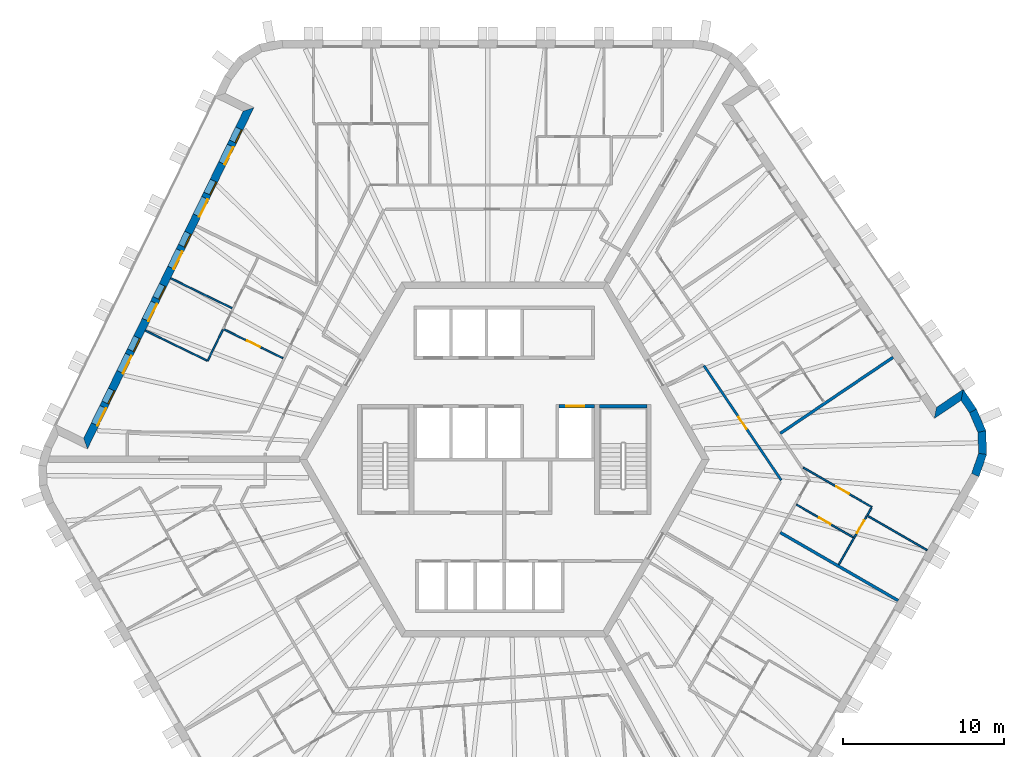
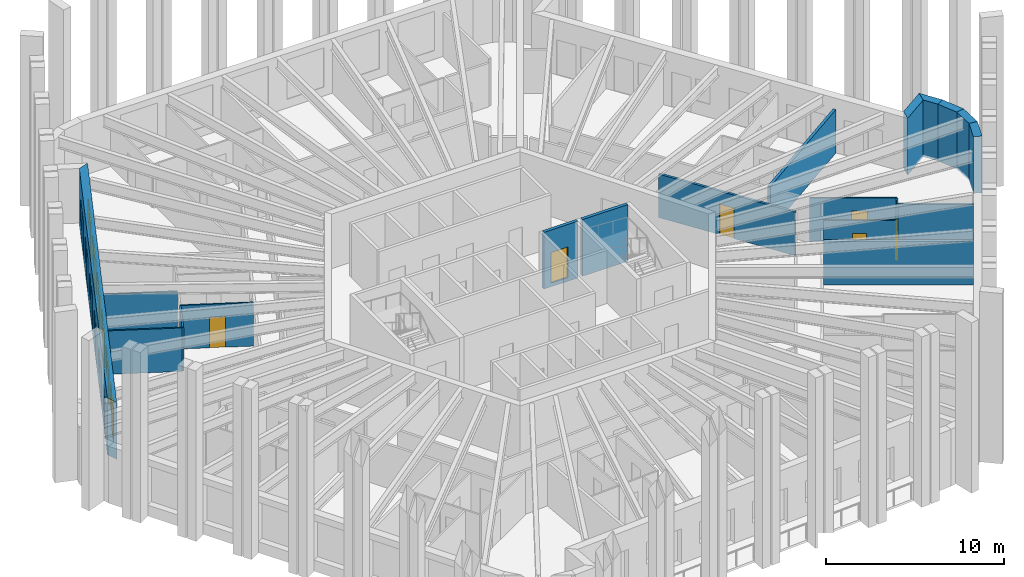
# One storey, part 7 of 13: 21 walls, 12 doors, 6 windows, 18 openings.
"""IFC4 building model written with IfcOpenShell, lengths in metres."""

import ifcopenshell
import ifcopenshell.guid

model = None  # the IFC model being written
_history = None  # IfcOwnerHistory: only IFC2X3 demands one
_inside = {}  # id of a spatial element -> (the spatial element, [elements in it])
_under = {}  # id of a project, library or spatial element -> (it, [spatial elements below it])
_declared = {}  # id of a project -> (the project, [libraries it declares])
_typed = {}  # id of a type object -> (the type object, [elements of that type])
_made_of = {}  # id of a material, layer set ... -> (it, [elements and type objects made of it])


def new_model(schema):
    """Start an empty IFC model of exactly this schema.

    Asked for "IFC4X3", IfcOpenShell would pick the latest addendum, in which some entities
    have other attributes; the version numbers below select the first issue.
    IFC2X3 requires an IfcOwnerHistory on every rooted entity: one is made here for all.
    """
    global model, _history
    if schema == "IFC4X3":
        model = ifcopenshell.file(schema_version=(4, 3, 0, 0))
    else:
        model = ifcopenshell.file(schema=schema)
    _inside.clear()
    _under.clear()
    _declared.clear()
    _typed.clear()
    _made_of.clear()
    _history = None
    if model.schema == "IFC2X3":
        org = make("IfcOrganization", Name="unknown")
        user = make(
            "IfcPersonAndOrganization",
            ThePerson=make("IfcPerson", FamilyName="unknown"),
            TheOrganization=org,
        )
        app = make(
            "IfcApplication",
            ApplicationDeveloper=org,
            Version="unknown",
            ApplicationFullName="unknown",
            ApplicationIdentifier="unknown",
        )
        _history = make(
            "IfcOwnerHistory",
            OwningUser=user,
            OwningApplication=app,
            ChangeAction="ADDED",
            CreationDate=0,
        )
    return model


def make(cls, **values):
    """One entity of the class cls with the attributes given. An attribute that is None is left unset."""
    return model.create_entity(
        cls, **{name: value for name, value in values.items() if value is not None}
    )


def rooted(cls, **values):
    """An entity with a GlobalId (a new one), such as an element, a storey or a relation."""
    return make(cls, GlobalId=ifcopenshell.guid.new(), OwnerHistory=_history, **values)


def si_unit(unit_type, name, prefix=None):
    """IfcSIUnit, for example si_unit("LENGTHUNIT", "METRE", prefix="MILLI")."""
    return make("IfcSIUnit", UnitType=unit_type, Prefix=prefix, Name=name)


def assignment(units):
    """IfcUnitAssignment: the units of a project."""
    return None if units is None else make("IfcUnitAssignment", Units=units)


def point(xyz):
    """IfcCartesianPoint."""
    return None if xyz is None else make("IfcCartesianPoint", Coordinates=xyz)


def direction(xyz):
    """IfcDirection."""
    return None if xyz is None else make("IfcDirection", DirectionRatios=xyz)


def frame(location, z_axis=None, x_axis=None):
    """IfcAxis2Placement3D, a coordinate frame: its origin and axes. An axis left out is left unset."""
    return make(
        "IfcAxis2Placement3D",
        Location=point(location),
        Axis=direction(z_axis),
        RefDirection=direction(x_axis),
    )


def frame_2d(location, x_axis=None):
    """IfcAxis2Placement2D, a coordinate frame in the plane: its origin and x axis."""
    return make(
        "IfcAxis2Placement2D", Location=point(location), RefDirection=direction(x_axis)
    )


def origin():
    """The frame at (0, 0, 0) with its axes left unset."""
    return frame((0.0, 0.0, 0.0))


def place(relative_to, where):
    """IfcLocalPlacement: puts the frame where relative to a parent placement (None: the world)."""
    return make(
        "IfcLocalPlacement", PlacementRelTo=relative_to, RelativePlacement=where
    )


def context(
    kind, dimensions, precision=None, world=None, true_north=None, identifier=None
):
    """IfcGeometricRepresentationContext, for example the 3D "Model" context."""
    return make(
        "IfcGeometricRepresentationContext",
        ContextIdentifier=identifier,
        ContextType=kind,
        CoordinateSpaceDimension=dimensions,
        Precision=precision,
        WorldCoordinateSystem=world,
        TrueNorth=true_north,
    )


def subcontext(parent, identifier, kind, view, scale=None):
    """IfcGeometricRepresentationSubContext, for example "Body" below "Model"."""
    return make(
        "IfcGeometricRepresentationSubContext",
        ContextIdentifier=identifier,
        ContextType=kind,
        ParentContext=parent,
        TargetScale=scale,
        TargetView=view,
    )


def project(units=None, contexts=None):
    """IfcProject with its units and contexts."""
    return rooted(
        "IfcProject",
        Name="project",
        RepresentationContexts=contexts,
        UnitsInContext=assignment(units),
    )


def spatial(cls, under=None, at=None, **own):
    """A site, building, storey or space (cls), placed at a placement, below another one or the project."""
    s = rooted(cls, ObjectPlacement=at, **own)
    if under is not None:
        _under.setdefault(under.id(), (under, []))[1].append(s)
    return s


def polyline(points):
    """IfcPolyline through the points."""
    return make("IfcPolyline", Points=[point(p) for p in points])


def profile(cls, at=None, kind="AREA", **sizes):
    """A parametric profile (cls). Its sizes go by their IFC names, for example OverallWidth=200.0."""
    return make(cls, ProfileType=kind, Position=at, **sizes)


def rectangle(**sizes):
    """IfcRectangleProfileDef."""
    return profile("IfcRectangleProfileDef", **sizes)


def outline(outer, holes=None, kind="AREA"):
    """IfcArbitraryClosedProfileDef: a profile drawn as a closed curve; with holes, ...WithVoids."""
    if holes is None:
        return make("IfcArbitraryClosedProfileDef", ProfileType=kind, OuterCurve=outer)
    return make(
        "IfcArbitraryProfileDefWithVoids",
        ProfileType=kind,
        OuterCurve=outer,
        InnerCurves=holes,
    )


def extrude(swept, where, along, depth):
    """IfcExtrudedAreaSolid: the profile swept, set in the frame where, extruded along a direction by depth."""
    return make(
        "IfcExtrudedAreaSolid",
        SweptArea=swept,
        Position=where,
        ExtrudedDirection=direction(along),
        Depth=depth,
    )


def shape(context_of_items, identifier, shape_type, items):
    """IfcShapeRepresentation: the items that make up one representation, for example the "Body"."""
    return make(
        "IfcShapeRepresentation",
        ContextOfItems=context_of_items,
        RepresentationIdentifier=identifier,
        RepresentationType=shape_type,
        Items=items,
    )


def material(Name=None, Category=None):
    """IfcMaterial."""
    return make("IfcMaterial", Name=Name, Category=Category)


def layer(
    of_material, thickness, ventilated=None, Name=None, Category=None, Priority=None
):
    """IfcMaterialLayer: one layer of a wall or slab, of a material (None: an air gap)."""
    return make(
        "IfcMaterialLayer",
        Material=of_material,
        LayerThickness=thickness,
        IsVentilated=ventilated,
        Name=Name,
        Category=Category,
        Priority=Priority,
    )


def layer_set(layers, Name=None):
    """IfcMaterialLayerSet."""
    return make("IfcMaterialLayerSet", MaterialLayers=layers, LayerSetName=Name)


def made_of(thing, what):
    """Note that an element or type object is made of a material, layer set ...; save() writes the relation."""
    if what is not None:
        _made_of.setdefault(what.id(), (what, []))[1].append(thing)
    return thing


def type_object(cls, material=None, **own):
    """A type object (cls), such as IfcWallType, which elements share."""
    return made_of(rooted(cls, **own), material)


def element(
    cls,
    number,
    at=None,
    inside=None,
    cuts=None,
    type_object=None,
    material=None,
    context=None,
    identifier="Body",
    shape_type=None,
    held_by="IfcProductDefinitionShape",
    body=None,
    shapes=None,
    **own,
):
    """One element of the class cls, such as IfcWall. Its Tag is "e" and its number.

    at: its placement. inside: the storey or other place that contains it. cuts: it is an
    opening in that element (IfcRelVoidsElement). A single representation is given by context,
    identifier, shape_type and body (its items); several are given by shapes. held_by: the class
    of the entity that holds the representations. save() writes the other relations.
    """
    e = rooted(cls, Tag="e%d" % number, ObjectPlacement=at, **own)
    if body is not None:
        shapes = [shape(context, identifier, shape_type, body)]
    if shapes is not None:
        e.Representation = make(held_by, Representations=shapes)
    if inside is not None:
        _inside.setdefault(inside.id(), (inside, []))[1].append(e)
    if cuts is not None:
        rooted(
            "IfcRelVoidsElement", RelatingBuildingElement=cuts, RelatedOpeningElement=e
        )
    if type_object is not None:
        _typed.setdefault(type_object.id(), (type_object, []))[1].append(e)
    return made_of(e, material)


def fill(opening, filler):
    """IfcRelFillsElement: the door or window that sits in an opening."""
    return rooted(
        "IfcRelFillsElement",
        RelatingOpeningElement=opening,
        RelatedBuildingElement=filler,
    )


def aggregate(whole, parts):
    """IfcRelAggregates: a whole, such as a stair, and the parts it consists of."""
    return rooted("IfcRelAggregates", RelatingObject=whole, RelatedObjects=parts)


def save(model, path):
    """Write the relations noted so far, then the file.

    IfcRelAggregates (storeys below a building ...), IfcRelContainedInSpatialStructure (elements
    in a storey), IfcRelDefinesByType, IfcRelAssociatesMaterial and IfcRelDeclares: one each for
    every whole, place, type object, material and project.
    """
    for whole, parts in _under.values():
        aggregate(whole, parts)
    for where, things in _inside.values():
        rooted(
            "IfcRelContainedInSpatialStructure",
            RelatedElements=things,
            RelatingStructure=where,
        )
    for kind, things in _typed.values():
        rooted("IfcRelDefinesByType", RelatedObjects=things, RelatingType=kind)
    for what, things in _made_of.values():
        rooted("IfcRelAssociatesMaterial", RelatedObjects=things, RelatingMaterial=what)
    for by, libraries in _declared.values():
        rooted("IfcRelDeclares", RelatingContext=by, RelatedDefinitions=libraries)
    model.write(path)


model = new_model("IFC4")

# Units and contexts
model_context = context("Model", 3, precision=1e-05, world=origin(), true_north=direction((0.0, 1.0)))
body_context = subcontext(model_context, "Body", "Model", "MODEL_VIEW")
ifc_project = project(units=[si_unit("LENGTHUNIT", "METRE"), si_unit("AREAUNIT", "SQUARE_METRE"), si_unit("VOLUMEUNIT", "CUBIC_METRE"), si_unit("PLANEANGLEUNIT", "RADIAN"), si_unit("MASSUNIT", "GRAM", prefix="KILO")], contexts=[model_context])

# Site, building, storey
site_placement = place(None, origin())
site = spatial("IfcSite", under=ifc_project, at=site_placement, CompositionType="ELEMENT")
building_placement = place(site_placement, origin())
building = spatial("IfcBuilding", under=site, at=building_placement, Name="Tarnside Tower", CompositionType="ELEMENT")
storey_placement = place(building_placement, frame((0.0, 0.0, 303.0)))
storey = spatial("IfcBuildingStorey", under=building, at=storey_placement, Name="L73", CompositionType="ELEMENT", Elevation=303.0)

# Wall, opening, door
ifc_material_1 = material(Name="Gypsum board partition on steel studs", Category="steel")
ifc_layer_1 = layer(ifc_material_1, 0.10009765625)
ifc_layer_set_1 = layer_set([ifc_layer_1], Name="Bathroom wall 100")
wall_type_1 = type_object("IfcWallType", Name="Bathroom wall 100", PredefinedType="PARTITIONING", material=ifc_layer_set_1)
wall_1_placement = place(storey_placement, frame((18.099853515625, -2.80029296875, 0.0), z_axis=(0.0, 0.0, 1.0), x_axis=(0.866019999656, -0.500009360108, 0.0)))
wall_1 = element("IfcWall", 1, at=wall_1_placement, inside=storey, type_object=wall_type_1, Name="Bathroom wall 24156", PredefinedType="PARTITIONING", context=body_context, shape_type="SweptSolid", body=[
    extrude(rectangle(XDim=4.125, YDim=0.10009765625, at=frame_2d((2.0625, 0.0))), origin(), (0.0, 0.0, 1.0), 2.98779296875),
])
opening_1_placement = place(wall_1_placement, frame((1.625, 0.0, 0.0)))
opening_1 = element("IfcOpeningElement", 2, at=opening_1_placement, cuts=wall_1, Name="Opening D-B1", PredefinedType="OPENING", context=body_context, shape_type="SweptSolid", body=[
    extrude(rectangle(XDim=0.800048828125, YDim=2.10009765625, at=frame_2d((0.39990234375, 1.050048828125))), frame((0.0, 0.06005859375, 0.0), z_axis=(0.0, -1.0, 0.0), x_axis=(1.0, 0.0, 0.0)), (0.0, 0.0, 1.0), 0.1201171875),
])
ifc_material_2 = material(Name="Timber door leaf", Category="wood")
door_type_1 = type_object("IfcDoorType", Name="Bathroom door 800", OperationType="NOTDEFINED", PredefinedType="DOOR", material=ifc_material_2)
door_1_placement = place(opening_1_placement, origin())
door_1 = element("IfcDoor", 3, at=door_1_placement, inside=storey, type_object=door_type_1, Name="Bathroom door 24051", OperationType="SINGLE_SWING_RIGHT", OverallHeight=2.10009765625, OverallWidth=0.800048828125, PredefinedType="DOOR", context=body_context, shape_type="SweptSolid", body=[
    extrude(rectangle(XDim=0.800048828125, YDim=2.10009765625, at=frame_2d((0.39990234375, 1.050048828125))), frame((0.0, 0.02490234375, 0.0), z_axis=(0.0, -1.0, 0.0), x_axis=(1.0, 0.0, 0.0)), (0.0, 0.0, 1.0), 0.050048828125),
])
fill(opening_1, door_1)

# Wall
wall_2_placement = place(storey_placement, frame((20.717041015625, -6.516845703125, 0.0), z_axis=(0.0, 0.0, 1.0), x_axis=(0.500039310002, 0.866002706955, 0.0)))
element("IfcWall", 4, at=wall_2_placement, inside=storey, type_object=wall_type_1, Name="Bathroom wall 24158", PredefinedType="PARTITIONING", context=body_context, shape_type="SweptSolid", body=[
    extrude(rectangle(XDim=1.911865234375, YDim=0.10009765625, at=frame_2d((0.9560546875, 0.0))), origin(), (0.0, 0.0, 1.0), 2.98779296875),
])

# Wall, opening, door
ifc_layer_2 = layer(ifc_material_1, 0.14990234375)
ifc_layer_set_2 = layer_set([ifc_layer_2], Name="Corridor wall 150 EI 60")
wall_type_2 = type_object("IfcWallType", Name="Corridor wall 150 EI 60", PredefinedType="PARTITIONING", material=ifc_layer_set_2)
wall_3_placement = place(storey_placement, frame((12.36669921875, 5.8076171875, 0.0), z_axis=(0.0, 0.0, 1.0), x_axis=(0.559187256666, -0.829041381345, 0.0)))
wall_3 = element("IfcWall", 5, at=wall_3_placement, inside=storey, type_object=wall_type_2, Name="Corridor wall 24072", PredefinedType="PARTITIONING", context=body_context, shape_type="SweptSolid", body=[
    extrude(rectangle(XDim=8.560302734375, YDim=0.14990234375, at=frame_2d((4.2802734375, 0.0))), origin(), (0.0, 0.0, 1.0), 2.98779296875),
])
opening_2_placement = place(wall_3_placement, frame((3.830078125, 0.0, 0.0)))
opening_2 = element("IfcOpeningElement", 6, at=opening_2_placement, cuts=wall_3, Name="Opening D-S1", PredefinedType="OPENING", context=body_context, shape_type="SweptSolid", body=[
    extrude(rectangle(XDim=0.89990234375, YDim=2.10009765625, at=frame_2d((0.449951171875, 1.050048828125))), frame((0.0, 0.0849609375, 0.0), z_axis=(0.0, -1.0, 0.0), x_axis=(1.0, 0.0, 0.0)), (0.0, 0.0, 1.0), 0.169921875),
])
door_type_2 = type_object("IfcDoorType", Name="Service room door 900 FD30S", OperationType="NOTDEFINED", PredefinedType="DOOR", material=ifc_material_2)
door_2_placement = place(opening_2_placement, origin())
door_2 = element("IfcDoor", 7, at=door_2_placement, inside=storey, type_object=door_type_2, Name="Service door 24067", OperationType="SINGLE_SWING_RIGHT", OverallHeight=2.10009765625, OverallWidth=0.89990234375, PredefinedType="DOOR", context=body_context, shape_type="SweptSolid", body=[
    extrude(rectangle(XDim=0.89990234375, YDim=2.10009765625, at=frame_2d((0.449951171875, 1.050048828125))), frame((0.0, 0.02490234375, 0.0), z_axis=(0.0, -1.0, 0.0), x_axis=(1.0, 0.0, 0.0)), (0.0, 0.0, 1.0), 0.050048828125),
])
fill(opening_2, door_2)

# Walls
ifc_layer_3 = layer(ifc_material_1, 0.179931640625)
ifc_layer_set_3 = layer_set([ifc_layer_3], Name="Demising wall 180 EI 60")
wall_type_3 = type_object("IfcWallType", Name="Demising wall 180 EI 60", PredefinedType="PARTITIONING", material=ifc_layer_set_3)
for number, where, z_axis, x_axis, name in (
    (8, (24.39599609375, -8.744873046875, 0.0), (0.0, 0.0, 1.0), (-0.866014270972, 0.500019282102, 0.0), "Demising wall 24144"),
    (9, (24.08154296875, 6.322509765625, 0.0), (0.0, 0.0, 1.0), (-0.829037762759, -0.559192621481, 0.0), "Demising wall 24154"),
):
    element("IfcWall", number, at=place(storey_placement, frame(where, z_axis=z_axis, x_axis=x_axis)), inside=storey, type_object=wall_type_3, Name=name, PredefinedType="PARTITIONING", context=body_context, shape_type="SweptSolid", body=[
        extrude(rectangle(XDim=8.425048828125, YDim=0.179931640625, at=frame_2d((4.21240234375, 0.0))), origin(), (0.0, 0.0, 1.0), 2.98779296875),
    ])

# Wall, opening, door
ifc_material_3 = material(Name="Concrete C40/50", Category="concrete")
ifc_layer_4 = layer(ifc_material_3, 0.199951171875)
ifc_layer_set_4 = layer_set([ifc_layer_4], Name="Lift shaft wall 200 C40/50")
wall_type_4 = type_object("IfcWallType", Name="Lift shaft wall 200 C40/50", PredefinedType="SHEAR", material=ifc_layer_set_4)
wall_4_placement = place(storey_placement, frame((3.39990234375, 3.300048828125, -0.25), z_axis=(0.0, 0.0, 1.0), x_axis=(1.0, 0.0, 0.0)))
wall_4 = element("IfcWall", 10, at=wall_4_placement, inside=storey, type_object=wall_type_4, Name="L73 lift shaft front wall R2 2", PredefinedType="SHEAR", context=body_context, shape_type="SweptSolid", body=[
    extrude(rectangle(XDim=2.2001953125, YDim=0.199951171875, at=frame_2d((1.10009765625, 0.0))), origin(), (0.0, 0.0, 1.0), 3.89990234375),
])
opening_3_placement = place(wall_4_placement, frame((0.449951171875, 0.0, 0.25)))
opening_3 = element("IfcOpeningElement", 11, at=opening_3_placement, cuts=wall_4, Name="Opening LD", PredefinedType="OPENING", context=body_context, shape_type="SweptSolid", body=[
    extrude(rectangle(XDim=1.10009765625, YDim=2.10009765625, at=frame_2d((0.550048828125, 1.050048828125))), frame((0.0, 0.10986328125, 0.0), z_axis=(0.0, -1.0, 0.0), x_axis=(1.0, 0.0, 0.0)), (0.0, 0.0, 1.0), 0.219970703125),
])
ifc_material_4 = material(Name="Stainless steel", Category="steel")
door_type_3 = type_object("IfcDoorType", Name="Lift landing door 1100x2100", OperationType="NOTDEFINED", PredefinedType="DOOR", material=ifc_material_4)
door_3_placement = place(opening_3_placement, origin())
door_3 = element("IfcDoor", 12, at=door_3_placement, inside=storey, type_object=door_type_3, Name="Express sky-lobby shuttle 2 landing door L73", OperationType="SLIDING_TO_LEFT", OverallHeight=2.10009765625, OverallWidth=1.10009765625, PredefinedType="DOOR", context=body_context, shape_type="SweptSolid", body=[
    extrude(rectangle(XDim=1.10009765625, YDim=2.10009765625, at=frame_2d((0.550048828125, 1.050048828125))), frame((0.0, 0.02490234375, 0.0), z_axis=(0.0, -1.0, 0.0), x_axis=(1.0, 0.0, 0.0)), (0.0, 0.0, 1.0), 0.050048828125),
])
fill(opening_3, door_3)

# Wall
wall_5_placement = place(storey_placement, frame((5.89990234375, 3.300048828125, -0.25), z_axis=(0.0, 0.0, 1.0), x_axis=(1.0, 0.0, 0.0)))
element("IfcWall", 13, at=wall_5_placement, inside=storey, type_object=wall_type_4, Name="L73 stair 1 enclosure cap wall n", PredefinedType="SHEAR", context=body_context, shape_type="SweptSolid", body=[
    extrude(rectangle(XDim=2.9501953125, YDim=0.199951171875, at=frame_2d((1.47509765625, 0.0))), origin(), (0.0, 0.0, 1.0), 3.89990234375),
])

# Wall, openings, doors, windows
ifc_material_5 = material(Name="Dark zinc cladding")
ifc_layer_5 = layer(ifc_material_5, 0.10205078125)
ifc_material_6 = material(Name="Concrete C60/75 precast", Category="concrete")
ifc_layer_6 = layer(ifc_material_6, 0.298095703125)
ifc_material_7 = material(Name="Mineral wool insulation")
ifc_layer_7 = layer(ifc_material_7, 0.10009765625)
ifc_layer_set_5 = layer_set([ifc_layer_5, ifc_layer_6, ifc_layer_7], Name="Loggia wall 500 zinc faced")
wall_type_5 = type_object("IfcWallType", Name="Loggia wall 500 zinc faced", PredefinedType="SOLIDWALL", material=ifc_layer_set_5)
wall_6_placement = place(storey_placement, frame((-15.845947265625, 21.6884765625, -0.14990234375), z_axis=(0.0, 0.0, 1.0), x_axis=(-0.438377502627, -0.898790946322, 0.0)))
wall_6 = element("IfcWall", 14, at=wall_6_placement, inside=storey, type_object=wall_type_5, Name="Tube wall L73 F2 back 06", PredefinedType="SOLIDWALL", context=body_context, shape_type="SweptSolid", body=[
    extrude(outline(polyline([(0.25, -0.25), (22.794677734375, -0.25), (23.294677734375, 0.25), (-0.25, 0.25), (0.25, -0.25)])), origin(), (0.0, 0.0, 1.0), 3.89990234375),
])
opening_4_placement = place(wall_6_placement, frame((1.322509765625, 0.0, 1.050048828125)))
opening_4 = element("IfcOpeningElement", 15, at=opening_4_placement, cuts=wall_6, Name="Opening WL500", PredefinedType="OPENING", context=body_context, shape_type="SweptSolid", body=[
    extrude(rectangle(XDim=0.89990234375, YDim=1.5, at=frame_2d((0.449951171875, 0.75))), frame((0.0, 0.260009765625, 0.0), z_axis=(0.0, -1.0, 0.0), x_axis=(1.0, 0.0, 0.0)), (0.0, 0.0, 1.0), 0.52001953125),
])
opening_5_placement = place(wall_6_placement, frame((2.5224609375, 0.0, 0.14990234375)))
opening_5 = element("IfcOpeningElement", 16, at=opening_5_placement, cuts=wall_6, Name="Opening DB500", PredefinedType="OPENING", context=body_context, shape_type="SweptSolid", body=[
    extrude(rectangle(XDim=1.199951171875, YDim=2.39990234375, at=frame_2d((0.60009765625, 1.199951171875))), frame((0.0, 0.260009765625, 0.0), z_axis=(0.0, -1.0, 0.0), x_axis=(1.0, 0.0, 0.0)), (0.0, 0.0, 1.0), 0.52001953125),
])
opening_6_placement = place(wall_6_placement, frame((4.92236328125, 0.0, 1.050048828125)))
opening_6 = element("IfcOpeningElement", 17, at=opening_6_placement, cuts=wall_6, Name="Opening WL500", PredefinedType="OPENING", context=body_context, shape_type="SweptSolid", body=[
    extrude(rectangle(XDim=0.89990234375, YDim=1.5, at=frame_2d((0.449951171875, 0.75))), frame((0.0, 0.260009765625, 0.0), z_axis=(0.0, -1.0, 0.0), x_axis=(1.0, 0.0, 0.0)), (0.0, 0.0, 1.0), 0.52001953125),
])
opening_7_placement = place(wall_6_placement, frame((6.122314453125, 0.0, 0.14990234375)))
opening_7 = element("IfcOpeningElement", 18, at=opening_7_placement, cuts=wall_6, Name="Opening DB500", PredefinedType="OPENING", context=body_context, shape_type="SweptSolid", body=[
    extrude(rectangle(XDim=1.199951171875, YDim=2.39990234375, at=frame_2d((0.60009765625, 1.199951171875))), frame((0.0, 0.260009765625, 0.0), z_axis=(0.0, -1.0, 0.0), x_axis=(1.0, 0.0, 0.0)), (0.0, 0.0, 1.0), 0.52001953125),
])
opening_8_placement = place(wall_6_placement, frame((8.5224609375, 0.0, 1.050048828125)))
opening_8 = element("IfcOpeningElement", 19, at=opening_8_placement, cuts=wall_6, Name="Opening WL500", PredefinedType="OPENING", context=body_context, shape_type="SweptSolid", body=[
    extrude(rectangle(XDim=0.89990234375, YDim=1.5, at=frame_2d((0.449951171875, 0.75))), frame((0.0, 0.260009765625, 0.0), z_axis=(0.0, -1.0, 0.0), x_axis=(1.0, 0.0, 0.0)), (0.0, 0.0, 1.0), 0.52001953125),
])
opening_9_placement = place(wall_6_placement, frame((9.722412109375, 0.0, 0.14990234375)))
opening_9 = element("IfcOpeningElement", 20, at=opening_9_placement, cuts=wall_6, Name="Opening DB500", PredefinedType="OPENING", context=body_context, shape_type="SweptSolid", body=[
    extrude(rectangle(XDim=1.199951171875, YDim=2.39990234375, at=frame_2d((0.60009765625, 1.199951171875))), frame((0.0, 0.260009765625, 0.0), z_axis=(0.0, -1.0, 0.0), x_axis=(1.0, 0.0, 0.0)), (0.0, 0.0, 1.0), 0.52001953125),
])
opening_10_placement = place(wall_6_placement, frame((12.122314453125, 0.0, 1.050048828125)))
opening_10 = element("IfcOpeningElement", 21, at=opening_10_placement, cuts=wall_6, Name="Opening WL500", PredefinedType="OPENING", context=body_context, shape_type="SweptSolid", body=[
    extrude(rectangle(XDim=0.89990234375, YDim=1.5, at=frame_2d((0.449951171875, 0.75))), frame((0.0, 0.260009765625, 0.0), z_axis=(0.0, -1.0, 0.0), x_axis=(1.0, 0.0, 0.0)), (0.0, 0.0, 1.0), 0.52001953125),
])
opening_11_placement = place(wall_6_placement, frame((13.322509765625, 0.0, 0.14990234375)))
opening_11 = element("IfcOpeningElement", 22, at=opening_11_placement, cuts=wall_6, Name="Opening DB500", PredefinedType="OPENING", context=body_context, shape_type="SweptSolid", body=[
    extrude(rectangle(XDim=1.199951171875, YDim=2.39990234375, at=frame_2d((0.60009765625, 1.199951171875))), frame((0.0, 0.260009765625, 0.0), z_axis=(0.0, -1.0, 0.0), x_axis=(1.0, 0.0, 0.0)), (0.0, 0.0, 1.0), 0.52001953125),
])
opening_12_placement = place(wall_6_placement, frame((15.722412109375, 0.0, 1.050048828125)))
opening_12 = element("IfcOpeningElement", 23, at=opening_12_placement, cuts=wall_6, Name="Opening WL500", PredefinedType="OPENING", context=body_context, shape_type="SweptSolid", body=[
    extrude(rectangle(XDim=0.89990234375, YDim=1.5, at=frame_2d((0.449951171875, 0.75))), frame((0.0, 0.260009765625, 0.0), z_axis=(0.0, -1.0, 0.0), x_axis=(1.0, 0.0, 0.0)), (0.0, 0.0, 1.0), 0.52001953125),
])
opening_13_placement = place(wall_6_placement, frame((16.92236328125, 0.0, 0.14990234375)))
opening_13 = element("IfcOpeningElement", 24, at=opening_13_placement, cuts=wall_6, Name="Opening DB500", PredefinedType="OPENING", context=body_context, shape_type="SweptSolid", body=[
    extrude(rectangle(XDim=1.199951171875, YDim=2.39990234375, at=frame_2d((0.60009765625, 1.199951171875))), frame((0.0, 0.260009765625, 0.0), z_axis=(0.0, -1.0, 0.0), x_axis=(1.0, 0.0, 0.0)), (0.0, 0.0, 1.0), 0.52001953125),
])
opening_14_placement = place(wall_6_placement, frame((19.322509765625, 0.0, 1.050048828125)))
opening_14 = element("IfcOpeningElement", 25, at=opening_14_placement, cuts=wall_6, Name="Opening WL500", PredefinedType="OPENING", context=body_context, shape_type="SweptSolid", body=[
    extrude(rectangle(XDim=0.89990234375, YDim=1.5, at=frame_2d((0.449951171875, 0.75))), frame((0.0, 0.260009765625, 0.0), z_axis=(0.0, -1.0, 0.0), x_axis=(1.0, 0.0, 0.0)), (0.0, 0.0, 1.0), 0.52001953125),
])
opening_15_placement = place(wall_6_placement, frame((20.5224609375, 0.0, 0.14990234375)))
opening_15 = element("IfcOpeningElement", 26, at=opening_15_placement, cuts=wall_6, Name="Opening DB500", PredefinedType="OPENING", context=body_context, shape_type="SweptSolid", body=[
    extrude(rectangle(XDim=1.199951171875, YDim=2.39990234375, at=frame_2d((0.60009765625, 1.199951171875))), frame((0.0, 0.260009765625, 0.0), z_axis=(0.0, -1.0, 0.0), x_axis=(1.0, 0.0, 0.0)), (0.0, 0.0, 1.0), 0.52001953125),
])
ifc_material_8 = material(Name="Aluminium-framed double glazing", Category="aluminium")
door_type_4 = type_object("IfcDoorType", Name="Balcony sliding door 1200 x 2400 in 500 wall", OperationType="SLIDING_TO_LEFT", PredefinedType="DOOR", material=ifc_material_8)
door_4_placement = place(opening_5_placement, frame((0.0, 0.1748046875, 0.0)))
door_4 = element("IfcDoor", 27, at=door_4_placement, inside=storey, type_object=door_type_4, Name="E.BD.L73.F2.00", OperationType="SLIDING_TO_LEFT", OverallHeight=2.39990234375, OverallWidth=1.199951171875, PredefinedType="DOOR", context=body_context, shape_type="SweptSolid", body=[
    extrude(rectangle(XDim=1.199951171875, YDim=2.39990234375, at=frame_2d((0.60009765625, 1.199951171875))), frame((0.0, 0.02490234375, 0.0), z_axis=(0.0, -1.0, 0.0), x_axis=(1.0, 0.0, 0.0)), (0.0, 0.0, 1.0), 0.050048828125),
])
fill(opening_5, door_4)
door_5_placement = place(opening_7_placement, frame((0.0, 0.1748046875, 0.0)))
door_5 = element("IfcDoor", 28, at=door_5_placement, inside=storey, type_object=door_type_4, Name="E.BD.L73.F2.01", OperationType="SLIDING_TO_LEFT", OverallHeight=2.39990234375, OverallWidth=1.199951171875, PredefinedType="DOOR", context=body_context, shape_type="SweptSolid", body=[
    extrude(rectangle(XDim=1.199951171875, YDim=2.39990234375, at=frame_2d((0.60009765625, 1.199951171875))), frame((0.0, 0.02490234375, 0.0), z_axis=(0.0, -1.0, 0.0), x_axis=(1.0, 0.0, 0.0)), (0.0, 0.0, 1.0), 0.050048828125),
])
fill(opening_7, door_5)
door_6_placement = place(opening_9_placement, frame((0.0, 0.1748046875, 0.0)))
door_6 = element("IfcDoor", 29, at=door_6_placement, inside=storey, type_object=door_type_4, Name="E.BD.L73.F2.02", OperationType="SLIDING_TO_LEFT", OverallHeight=2.39990234375, OverallWidth=1.199951171875, PredefinedType="DOOR", context=body_context, shape_type="SweptSolid", body=[
    extrude(rectangle(XDim=1.199951171875, YDim=2.39990234375, at=frame_2d((0.60009765625, 1.199951171875))), frame((0.0, 0.02490234375, 0.0), z_axis=(0.0, -1.0, 0.0), x_axis=(1.0, 0.0, 0.0)), (0.0, 0.0, 1.0), 0.050048828125),
])
fill(opening_9, door_6)
door_7_placement = place(opening_11_placement, frame((0.0, 0.1748046875, 0.0)))
door_7 = element("IfcDoor", 30, at=door_7_placement, inside=storey, type_object=door_type_4, Name="E.BD.L73.F2.03", OperationType="SLIDING_TO_LEFT", OverallHeight=2.39990234375, OverallWidth=1.199951171875, PredefinedType="DOOR", context=body_context, shape_type="SweptSolid", body=[
    extrude(rectangle(XDim=1.199951171875, YDim=2.39990234375, at=frame_2d((0.60009765625, 1.199951171875))), frame((0.0, 0.02490234375, 0.0), z_axis=(0.0, -1.0, 0.0), x_axis=(1.0, 0.0, 0.0)), (0.0, 0.0, 1.0), 0.050048828125),
])
fill(opening_11, door_7)
door_8_placement = place(opening_13_placement, frame((0.0, 0.1748046875, 0.0)))
door_8 = element("IfcDoor", 31, at=door_8_placement, inside=storey, type_object=door_type_4, Name="E.BD.L73.F2.04", OperationType="SLIDING_TO_LEFT", OverallHeight=2.39990234375, OverallWidth=1.199951171875, PredefinedType="DOOR", context=body_context, shape_type="SweptSolid", body=[
    extrude(rectangle(XDim=1.199951171875, YDim=2.39990234375, at=frame_2d((0.60009765625, 1.199951171875))), frame((0.0, 0.02490234375, 0.0), z_axis=(0.0, -1.0, 0.0), x_axis=(1.0, 0.0, 0.0)), (0.0, 0.0, 1.0), 0.050048828125),
])
fill(opening_13, door_8)
door_9_placement = place(opening_15_placement, frame((0.0, 0.1748046875, 0.0)))
door_9 = element("IfcDoor", 32, at=door_9_placement, inside=storey, type_object=door_type_4, Name="E.BD.L73.F2.05", OperationType="SLIDING_TO_LEFT", OverallHeight=2.39990234375, OverallWidth=1.199951171875, PredefinedType="DOOR", context=body_context, shape_type="SweptSolid", body=[
    extrude(rectangle(XDim=1.199951171875, YDim=2.39990234375, at=frame_2d((0.60009765625, 1.199951171875))), frame((0.0, 0.02490234375, 0.0), z_axis=(0.0, -1.0, 0.0), x_axis=(1.0, 0.0, 0.0)), (0.0, 0.0, 1.0), 0.050048828125),
])
fill(opening_15, door_9)
window_type = type_object("IfcWindowType", Name="Loggia window 900 x 1500 in 500 wall", PartitioningType="SINGLE_PANEL", PredefinedType="WINDOW", material=ifc_material_8)
window_1_placement = place(opening_4_placement, frame((0.0, 0.179931640625, 0.0)))
window_1 = element("IfcWindow", 33, at=window_1_placement, inside=storey, type_object=window_type, Name="E.LW.L73.F2.00", OverallHeight=1.5, OverallWidth=0.89990234375, PartitioningType="SINGLE_PANEL", PredefinedType="WINDOW", context=body_context, shape_type="SweptSolid", body=[
    extrude(rectangle(XDim=0.89990234375, YDim=1.5, at=frame_2d((0.449951171875, 0.75))), frame((0.0, 0.030029296875, 0.0), z_axis=(0.0, -1.0, 0.0), x_axis=(1.0, 0.0, 0.0)), (0.0, 0.0, 1.0), 0.06005859375),
])
fill(opening_4, window_1)
window_2_placement = place(opening_6_placement, frame((0.0, 0.179931640625, 0.0)))
window_2 = element("IfcWindow", 34, at=window_2_placement, inside=storey, type_object=window_type, Name="E.LW.L73.F2.01", OverallHeight=1.5, OverallWidth=0.89990234375, PartitioningType="SINGLE_PANEL", PredefinedType="WINDOW", context=body_context, shape_type="SweptSolid", body=[
    extrude(rectangle(XDim=0.89990234375, YDim=1.5, at=frame_2d((0.449951171875, 0.75))), frame((0.0, 0.030029296875, 0.0), z_axis=(0.0, -1.0, 0.0), x_axis=(1.0, 0.0, 0.0)), (0.0, 0.0, 1.0), 0.06005859375),
])
fill(opening_6, window_2)
window_3_placement = place(opening_8_placement, frame((0.0, 0.179931640625, 0.0)))
window_3 = element("IfcWindow", 35, at=window_3_placement, inside=storey, type_object=window_type, Name="E.LW.L73.F2.02", OverallHeight=1.5, OverallWidth=0.89990234375, PartitioningType="SINGLE_PANEL", PredefinedType="WINDOW", context=body_context, shape_type="SweptSolid", body=[
    extrude(rectangle(XDim=0.89990234375, YDim=1.5, at=frame_2d((0.449951171875, 0.75))), frame((0.0, 0.030029296875, 0.0), z_axis=(0.0, -1.0, 0.0), x_axis=(1.0, 0.0, 0.0)), (0.0, 0.0, 1.0), 0.06005859375),
])
fill(opening_8, window_3)
window_4_placement = place(opening_10_placement, frame((0.0, 0.179931640625, 0.0)))
window_4 = element("IfcWindow", 36, at=window_4_placement, inside=storey, type_object=window_type, Name="E.LW.L73.F2.03", OverallHeight=1.5, OverallWidth=0.89990234375, PartitioningType="SINGLE_PANEL", PredefinedType="WINDOW", context=body_context, shape_type="SweptSolid", body=[
    extrude(rectangle(XDim=0.89990234375, YDim=1.5, at=frame_2d((0.449951171875, 0.75))), frame((0.0, 0.030029296875, 0.0), z_axis=(0.0, -1.0, 0.0), x_axis=(1.0, 0.0, 0.0)), (0.0, 0.0, 1.0), 0.06005859375),
])
fill(opening_10, window_4)
window_5_placement = place(opening_12_placement, frame((0.0, 0.179931640625, 0.0)))
window_5 = element("IfcWindow", 37, at=window_5_placement, inside=storey, type_object=window_type, Name="E.LW.L73.F2.04", OverallHeight=1.5, OverallWidth=0.89990234375, PartitioningType="SINGLE_PANEL", PredefinedType="WINDOW", context=body_context, shape_type="SweptSolid", body=[
    extrude(rectangle(XDim=0.89990234375, YDim=1.5, at=frame_2d((0.449951171875, 0.75))), frame((0.0, 0.030029296875, 0.0), z_axis=(0.0, -1.0, 0.0), x_axis=(1.0, 0.0, 0.0)), (0.0, 0.0, 1.0), 0.06005859375),
])
fill(opening_12, window_5)
window_6_placement = place(opening_14_placement, frame((0.0, 0.179931640625, 0.0)))
window_6 = element("IfcWindow", 38, at=window_6_placement, inside=storey, type_object=window_type, Name="E.LW.L73.F2.05", OverallHeight=1.5, OverallWidth=0.89990234375, PartitioningType="SINGLE_PANEL", PredefinedType="WINDOW", context=body_context, shape_type="SweptSolid", body=[
    extrude(rectangle(XDim=0.89990234375, YDim=1.5, at=frame_2d((0.449951171875, 0.75))), frame((0.0, 0.030029296875, 0.0), z_axis=(0.0, -1.0, 0.0), x_axis=(1.0, 0.0, 0.0)), (0.0, 0.0, 1.0), 0.06005859375),
])
fill(opening_14, window_6)

# Walls
wall_7_placement = place(storey_placement, frame((29.034912109375, 3.00244140625, -0.14990234375), z_axis=(0.0, 0.0, 1.0), x_axis=(-0.559200218553, 0.829032638423, 0.0)))
element("IfcWall", 39, at=wall_7_placement, inside=storey, type_object=wall_type_5, Name="Tube wall L73 F6 stub 28", PredefinedType="SOLIDWALL", context=body_context, shape_type="SweptSolid", body=[
    extrude(outline(polyline([(-0.0234375, -0.25), (1.44970703125, -0.25), (0.94970703125, 0.25), (0.0234375, 0.25), (-0.0234375, -0.25)])), origin(), (0.0, 0.0, 1.0), 3.89990234375),
])
wall_8_placement = place(storey_placement, frame((28.364013671875, 3.9970703125, -0.14990234375), z_axis=(0.0, 0.0, 1.0), x_axis=(-0.829108975345, -0.5590870299, 0.0)))
element("IfcWall", 40, at=wall_8_placement, inside=storey, type_object=wall_type_5, Name="Tube wall L73 F6 return 29", PredefinedType="SOLIDWALL", context=body_context, shape_type="SweptSolid", body=[
    extrude(outline(polyline([(-0.25, -0.25), (1.75, -0.25), (2.25, 0.25), (0.25, 0.25), (-0.25, -0.25)])), origin(), (0.0, 0.0, 1.0), 3.89990234375),
])

# Wall, opening, door
ifc_layer_8 = layer(ifc_material_1, 0.10009765625)
ifc_layer_set_6 = layer_set([ifc_layer_8], Name="Partition 100")
wall_type_6 = type_object("IfcWallType", Name="Partition 100", PredefinedType="PARTITIONING", material=ifc_layer_set_6)
wall_9_placement = place(storey_placement, frame((-13.7138671875, 6.271240234375, 0.0), z_axis=(0.0, 0.0, 1.0), x_axis=(-0.898810534939, 0.438337338454, 0.0)))
wall_9 = element("IfcWall", 41, at=wall_9_placement, inside=storey, type_object=wall_type_6, Name="Partition wall 24105", PredefinedType="PARTITIONING", context=body_context, shape_type="SweptSolid", body=[
    extrude(rectangle(XDim=4.125, YDim=0.10009765625, at=frame_2d((2.0625, 0.0))), origin(), (0.0, 0.0, 1.0), 2.98779296875),
])
opening_16_placement = place(wall_9_placement, frame((1.574951171875, 0.0, 0.0)))
opening_16 = element("IfcOpeningElement", 42, at=opening_16_placement, cuts=wall_9, Name="Opening D-I1", PredefinedType="OPENING", context=body_context, shape_type="SweptSolid", body=[
    extrude(rectangle(XDim=0.89990234375, YDim=2.10009765625, at=frame_2d((0.449951171875, 1.050048828125))), frame((0.0, 0.06005859375, 0.0), z_axis=(0.0, -1.0, 0.0), x_axis=(1.0, 0.0, 0.0)), (0.0, 0.0, 1.0), 0.1201171875),
])
door_type_5 = type_object("IfcDoorType", Name="Internal door 900", OperationType="NOTDEFINED", PredefinedType="DOOR", material=ifc_material_2)
door_10_placement = place(opening_16_placement, origin())
door_10 = element("IfcDoor", 43, at=door_10_placement, inside=storey, type_object=door_type_5, Name="Internal door 24019", OperationType="SINGLE_SWING_RIGHT", OverallHeight=2.10009765625, OverallWidth=0.89990234375, PredefinedType="DOOR", context=body_context, shape_type="SweptSolid", body=[
    extrude(rectangle(XDim=0.89990234375, YDim=2.10009765625, at=frame_2d((0.449951171875, 1.050048828125))), frame((0.0, 0.02490234375, 0.0), z_axis=(0.0, -1.0, 0.0), x_axis=(1.0, 0.0, 0.0)), (0.0, 0.0, 1.0), 0.050048828125),
])
fill(opening_16, door_10)

# Walls
wall_10_placement = place(storey_placement, frame((-17.4423828125, 8.036376953125, 0.0), z_axis=(0.0, 0.0, 1.0), x_axis=(-0.438343168157, -0.898807691851, 0.0)))
element("IfcWall", 44, at=wall_10_placement, inside=storey, type_object=wall_type_6, Name="Partition wall 24106", PredefinedType="PARTITIONING", context=body_context, shape_type="SweptSolid", body=[
    extrude(rectangle(XDim=2.152099609375, YDim=0.10009765625, at=frame_2d((1.076171875, 0.0))), origin(), (0.0, 0.0, 1.0), 2.98779296875),
])
for number, where, z_axis, x_axis, name in (
    (45, (-18.4306640625, 6.1240234375, 0.0), (0.0, 0.0, 1.0), (-0.898795496691, 0.438368173032, 0.0), "Partition wall 24107"),
    (46, (-20.67236328125, 11.22265625, 0.0), (0.0, 0.0, 1.0), (0.898795496691, -0.438368173032, 0.0), "Partition wall 24112"),
):
    element("IfcWall", number, at=place(storey_placement, frame(where, z_axis=z_axis, x_axis=x_axis)), inside=storey, type_object=wall_type_6, Name=name, PredefinedType="PARTITIONING", context=body_context, shape_type="SweptSolid", body=[
        extrude(rectangle(XDim=4.25, YDim=0.10009765625, at=frame_2d((2.125, 0.0))), origin(), (0.0, 0.0, 1.0), 2.98779296875),
    ])

# Wall, opening, door
wall_11_placement = place(storey_placement, frame((18.5244140625, -0.505126953125, 0.0), z_axis=(0.0, 0.0, 1.0), x_axis=(0.866032243237, -0.499988153533, 0.0)))
wall_11 = element("IfcWall", 47, at=wall_11_placement, inside=storey, type_object=wall_type_6, Name="Partition wall 24151", PredefinedType="PARTITIONING", context=body_context, shape_type="SweptSolid", body=[
    extrude(rectangle(XDim=4.90478515625, YDim=0.10009765625, at=frame_2d((2.452392578125, 0.0))), origin(), (0.0, 0.0, 1.0), 2.98779296875),
])
opening_17_placement = place(wall_11_placement, frame((2.354736328125, 0.0, 0.0)))
opening_17 = element("IfcOpeningElement", 48, at=opening_17_placement, cuts=wall_11, Name="Opening D-I1", PredefinedType="OPENING", context=body_context, shape_type="SweptSolid", body=[
    extrude(rectangle(XDim=0.89990234375, YDim=2.10009765625, at=frame_2d((0.449951171875, 1.050048828125))), frame((0.0, 0.06005859375, 0.0), z_axis=(0.0, -1.0, 0.0), x_axis=(1.0, 0.0, 0.0)), (0.0, 0.0, 1.0), 0.1201171875),
])
door_11_placement = place(opening_17_placement, origin())
door_11 = element("IfcDoor", 49, at=door_11_placement, inside=storey, type_object=door_type_5, Name="Internal door 24052", OperationType="SINGLE_SWING_LEFT", OverallHeight=2.10009765625, OverallWidth=0.89990234375, PredefinedType="DOOR", context=body_context, shape_type="SweptSolid", body=[
    extrude(rectangle(XDim=0.89990234375, YDim=2.10009765625, at=frame_2d((0.449951171875, 1.050048828125))), frame((0.0, 0.02490234375, 0.0), z_axis=(0.0, -1.0, 0.0), x_axis=(1.0, 0.0, 0.0)), (0.0, 0.0, 1.0), 0.050048828125),
])
fill(opening_17, door_11)

# Walls
wall_12_placement = place(storey_placement, frame((22.7470703125, -3.000732421875, 0.0), z_axis=(0.0, 0.0, 1.0), x_axis=(-0.499850094852, -0.866111934265, 0.0)))
element("IfcWall", 50, at=wall_12_placement, inside=storey, type_object=wall_type_6, Name="Partition wall 24152", PredefinedType="PARTITIONING", context=body_context, shape_type="SweptSolid", body=[
    extrude(rectangle(XDim=0.552001953125, YDim=0.10009765625, at=frame_2d((0.27587890625, 0.0))), origin(), (0.0, 0.0, 1.0), 2.98779296875),
])
wall_13_placement = place(storey_placement, frame((22.515380859375, -3.502197265625, 0.0), z_axis=(0.0, 0.0, 1.0), x_axis=(0.866028703517, -0.499994284652, 0.0)))
element("IfcWall", 51, at=wall_13_placement, inside=storey, type_object=wall_type_6, Name="Partition wall 24153", PredefinedType="PARTITIONING", context=body_context, shape_type="SweptSolid", body=[
    extrude(rectangle(XDim=4.25, YDim=0.10009765625, at=frame_2d((2.125, 0.0))), origin(), (0.0, 0.0, 1.0), 2.98779296875),
])

# Wall, opening, door
wall_14_placement = place(storey_placement, frame((21.696044921875, -4.8212890625, 0.0), z_axis=(0.0, 0.0, 1.0), x_axis=(0.499985098601, 0.86603400694, 0.0)))
wall_14 = element("IfcWall", 52, at=wall_14_placement, inside=storey, type_object=wall_type_6, Name="Partition wall 24157", PredefinedType="PARTITIONING", context=body_context, shape_type="SweptSolid", body=[
    extrude(rectangle(XDim=1.501953125, YDim=0.10009765625, at=frame_2d((0.7509765625, 0.0))), origin(), (0.0, 0.0, 1.0), 2.98779296875),
])
opening_18_placement = place(wall_14_placement, frame((0.302001953125, 0.0, 0.0)))
opening_18 = element("IfcOpeningElement", 53, at=opening_18_placement, cuts=wall_14, Name="Opening D-I1", PredefinedType="OPENING", context=body_context, shape_type="SweptSolid", body=[
    extrude(rectangle(XDim=0.89990234375, YDim=2.10009765625, at=frame_2d((0.449951171875, 1.050048828125))), frame((0.0, 0.06005859375, 0.0), z_axis=(0.0, -1.0, 0.0), x_axis=(1.0, 0.0, 0.0)), (0.0, 0.0, 1.0), 0.1201171875),
])
door_12_placement = place(opening_18_placement, origin())
door_12 = element("IfcDoor", 54, at=door_12_placement, inside=storey, type_object=door_type_5, Name="Internal door 24053", OperationType="SINGLE_SWING_LEFT", OverallHeight=2.10009765625, OverallWidth=0.89990234375, PredefinedType="DOOR", context=body_context, shape_type="SweptSolid", body=[
    extrude(rectangle(XDim=0.89990234375, YDim=2.10009765625, at=frame_2d((0.449951171875, 1.050048828125))), frame((0.0, 0.02490234375, 0.0), z_axis=(0.0, -1.0, 0.0), x_axis=(1.0, 0.0, 0.0)), (0.0, 0.0, 1.0), 0.050048828125),
])
fill(opening_18, door_12)

# Walls
ifc_material_9 = material(Name="Facing brick", Category="masonry")
ifc_layer_9 = layer(ifc_material_9, 0.10205078125)
ifc_layer_10 = layer(ifc_material_6, 0.298095703125)
ifc_layer_11 = layer(ifc_material_7, 0.10009765625)
ifc_layer_set_7 = layer_set([ifc_layer_9, ifc_layer_10, ifc_layer_11], Name="Tube wall 500 brick faced")
wall_type_7 = type_object("IfcWallType", Name="Tube wall 500 brick faced", PredefinedType="SOLIDWALL", material=ifc_layer_set_7)
wall_15_placement = place(storey_placement, frame((29.173828125, -0.9697265625, -0.14990234375), z_axis=(0.0, 0.0, 1.0), x_axis=(0.330961348063, 0.943644311215, 0.0)))
element("IfcWall", 55, at=wall_15_placement, inside=storey, type_object=wall_type_7, Name="Tube wall L73 F5 chord 25", PredefinedType="SOLIDWALL", context=body_context, shape_type="SweptSolid", body=[
    extrude(outline(polyline([(-0.0234375, -0.25), (1.435302734375, -0.25), (1.341064453125, 0.25), (0.0234375, 0.25), (-0.0234375, -0.25)])), origin(), (0.0, 0.0, 1.0), 3.89990234375),
])
wall_16_placement = place(storey_placement, frame((29.63330078125, 0.34033203125, -0.14990234375), z_axis=(0.0, 0.0, 1.0), x_axis=(-0.034825746769, 0.999393399699, 0.0)))
element("IfcWall", 56, at=wall_16_placement, inside=storey, type_object=wall_type_7, Name="Tube wall L73 F5 chord 26", PredefinedType="SOLIDWALL", context=body_context, shape_type="SweptSolid", body=[
    extrude(outline(polyline([(-0.047119140625, -0.25), (1.43505859375, -0.25), (1.3408203125, 0.25), (0.047119140625, 0.25), (-0.047119140625, -0.25)])), origin(), (0.0, 0.0, 1.0), 3.89990234375),
])
wall_17_placement = place(storey_placement, frame((29.5849609375, 1.7275390625, -0.14990234375), z_axis=(0.0, 0.0, 1.0), x_axis=(-0.396146339195, 0.918187387162, 0.0)))
element("IfcWall", 57, at=wall_17_placement, inside=storey, type_object=wall_type_7, Name="Tube wall L73 F5 chord 27", PredefinedType="SOLIDWALL", context=body_context, shape_type="SweptSolid", body=[
    extrude(outline(polyline([(-0.047119140625, -0.25), (1.411865234375, -0.25), (1.364990234375, 0.25), (0.047119140625, 0.25), (-0.047119140625, -0.25)])), origin(), (0.0, 0.0, 1.0), 3.89990234375),
])

save(model, "model.ifc")
